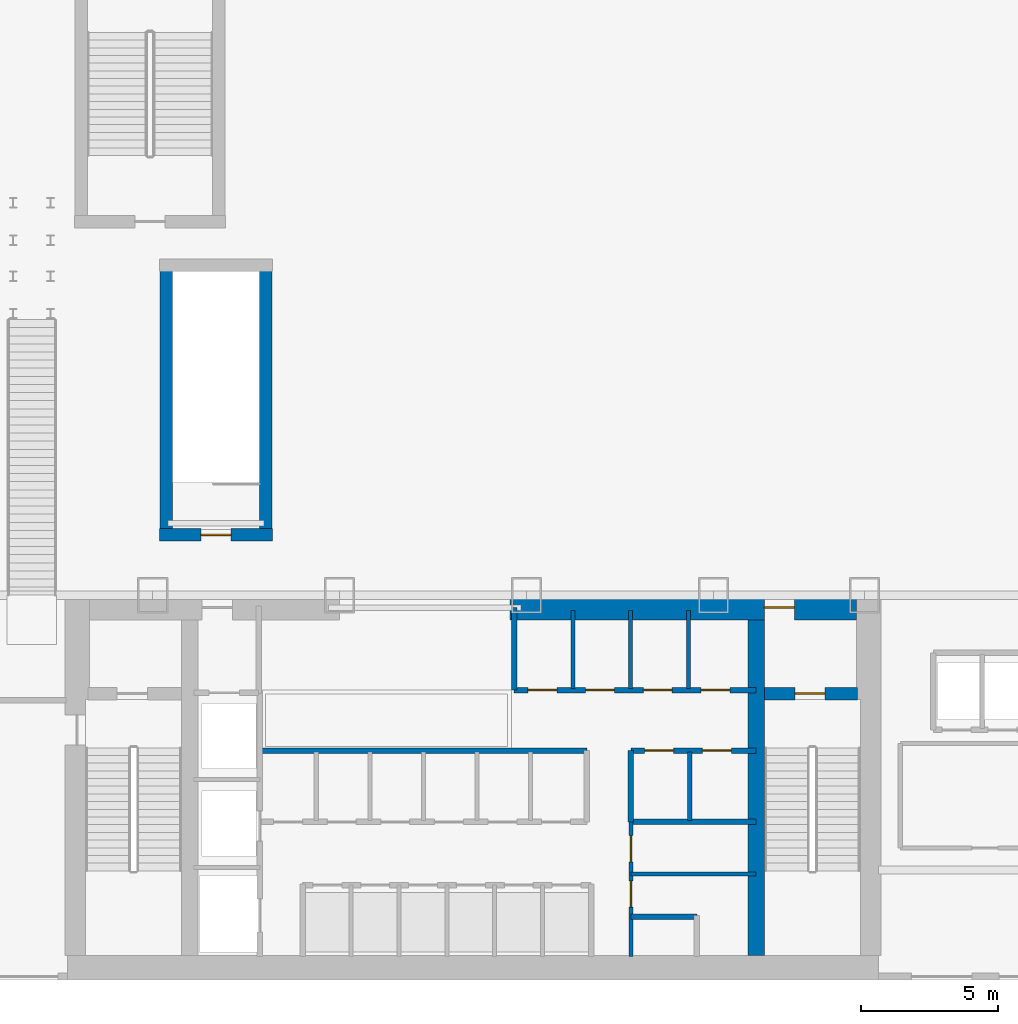
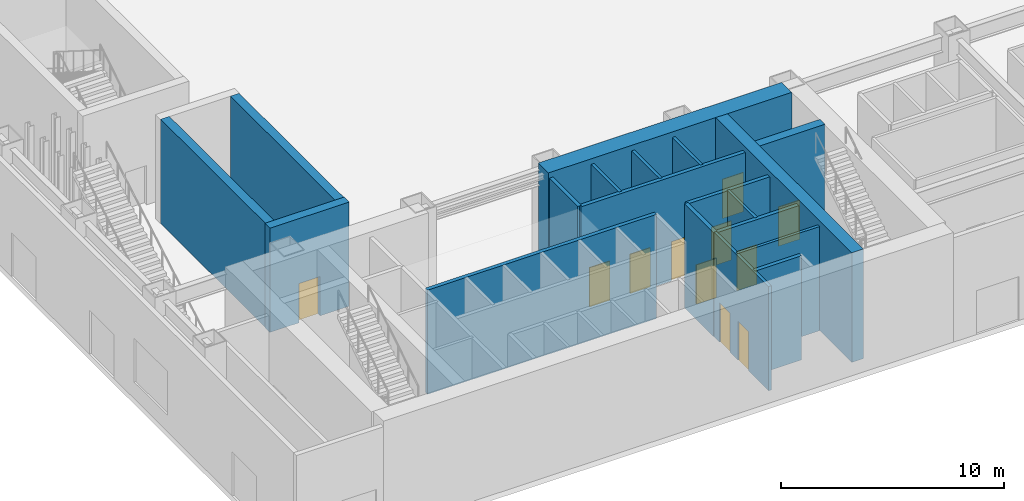
# One storey, part 10 of 25: 19 walls, 11 doors, 11 openings.
"""IFC4 building model written with IfcOpenShell, lengths in metres."""

from ifc_helpers import new_model, si_unit, derived_unit, direction, frame, frame_2d, origin, place, context, subcontext, project, spatial, rectangle, extrude, source, transform, mapped, material, layer, layer_set, type_object, element, fill, save


model = new_model("IFC4")

# Units and contexts
model_context = context("Model", 3, precision=1e-05, world=origin(), true_north=direction((0.0, 1.0)))
body_context = subcontext(model_context, "Body", "Model", "MODEL_VIEW")
ifc_project = project(units=[si_unit("LENGTHUNIT", "METRE"), si_unit("AREAUNIT", "SQUARE_METRE"), si_unit("VOLUMEUNIT", "CUBIC_METRE"), si_unit("PLANEANGLEUNIT", "RADIAN"), si_unit("MASSUNIT", "GRAM", prefix="KILO"), derived_unit("THERMALTRANSMITTANCEUNIT", [(si_unit("POWERUNIT", "WATT"), 1), (si_unit("LENGTHUNIT", "METRE"), -2), (si_unit("THERMODYNAMICTEMPERATUREUNIT", "KELVIN"), -1)])], contexts=[model_context])

# Site, building, storey
site_placement = place(None, origin())
site = spatial("IfcSite", under=ifc_project, at=site_placement, CompositionType="ELEMENT")
building_placement = place(site_placement, origin())
building = spatial("IfcBuilding", under=site, at=building_placement, Name="Skarnbrae Concourse Arena and Tower", CompositionType="ELEMENT")
storey_placement = place(building_placement, origin())
storey = spatial("IfcBuildingStorey", under=building, at=storey_placement, Name="L00", CompositionType="ELEMENT", Elevation=0.0)

# Wall, opening, door
ifc_material_1 = material(Name="Concrete 70 MPa (C70/85)", Category="concrete")
ifc_layer_1 = layer(ifc_material_1, 0.89990234375)
ifc_layer_set_1 = layer_set([ifc_layer_1], Name="Concrete 70 MPa (C70/85)")
wall_type_1 = type_object("IfcWallType", Name="WALL-CORE-900-C70", PredefinedType="SHEAR", material=ifc_layer_set_1)
shared_shape_1 = source(origin(), body_context, "Body", "SweptSolid", [
    extrude(rectangle(XDim=12.599853515625, YDim=0.89990234375, at=frame_2d((6.2998046875, 0.0))), origin(), (0.0, 0.0, 1.0), 6.0),
])
wall_1_placement = place(storey_placement, frame((20.60009765625, 13.550048828125, 0.0), z_axis=(0.0, 0.0, 1.0), x_axis=(1.0, 0.0, 0.0)))
wall_1 = element("IfcWall", 1, at=wall_1_placement, inside=storey, type_object=wall_type_1, Name="L00 Rear core shear wall CW-NE", PredefinedType="SHEAR", context=body_context, shape_type="MappedRepresentation", body=[
    mapped(shared_shape_1, transform((0.0, 0.0, 0.0))),
])
opening_1_placement = place(wall_1_placement, frame((9.25, 0.0, 0.0)))
opening_1 = element("IfcOpeningElement", 2, at=opening_1_placement, cuts=wall_1, Name="Opening DT-03", PredefinedType="OPENING", context=body_context, shape_type="SweptSolid", body=[
    extrude(rectangle(XDim=1.10009765625, YDim=2.14990234375, at=frame_2d((0.550048828125, 1.074951171875))), frame((0.0, 0.4599609375, 0.0), z_axis=(0.0, -1.0, 0.0), x_axis=(1.0, 0.0, 0.0)), (0.0, 0.0, 1.0), 0.919921875),
])
ifc_material_2 = material(Name="Steel CSA G40.21 350W", Category="steel")
door_type_1 = type_object("IfcDoorType", Name="DOOR-FIRE-1100-90M", OperationType="NOTDEFINED", PredefinedType="DOOR", material=ifc_material_2)
shared_shape_2 = source(origin(), body_context, "Body", "SweptSolid", [
    extrude(rectangle(XDim=1.10009765625, YDim=2.14990234375, at=frame_2d((0.550048828125, 1.074951171875))), frame((0.0, 0.02490234375, 0.0), z_axis=(0.0, -1.0, 0.0), x_axis=(1.0, 0.0, 0.0)), (0.0, 0.0, 1.0), 0.050048828125),
])
door_1_placement = place(opening_1_placement, origin())
door_1 = element("IfcDoor", 3, at=door_1_placement, inside=storey, type_object=door_type_1, Name="D-0149 Stair ST-2 Vestibule Door", OperationType="SINGLE_SWING_LEFT", OverallHeight=2.14990234375, OverallWidth=1.10009765625, PredefinedType="DOOR", context=body_context, shape_type="MappedRepresentation", body=[
    mapped(shared_shape_2, transform((0.0, 0.0, 0.0))),
])
fill(opening_1, door_1)

# Wall
ifc_layer_2 = layer(ifc_material_1, 0.60009765625)
ifc_layer_set_2 = layer_set([ifc_layer_2], Name="Concrete 70 MPa (C70/85)")
wall_type_2 = type_object("IfcWallType", Name="WALL-CORE-600-C70", PredefinedType="SHEAR", material=ifc_layer_set_2)
shared_shape_3 = source(origin(), body_context, "Body", "SweptSolid", [
    extrude(rectangle(XDim=12.2001953125, YDim=0.60009765625, at=frame_2d((6.10009765625, 0.0))), origin(), (0.0, 0.0, 1.0), 6.0),
])
wall_2_placement = place(storey_placement, frame((29.56005859375, 0.89990234375, 0.0), z_axis=(0.0, 0.0, 1.0), x_axis=(0.0, 1.0, 0.0)))
element("IfcWall", 4, at=wall_2_placement, inside=storey, type_object=wall_type_2, Name="L00 Rear core shear wall CW-WEB-E", PredefinedType="SHEAR", context=body_context, shape_type="MappedRepresentation", body=[
    mapped(shared_shape_3, transform((0.0, 0.0, 0.0))),
])

# Wall, opening, door
ifc_material_3 = material(Name="Concrete 50 MPa (C50/60)", Category="concrete")
ifc_layer_3 = layer(ifc_material_3, 0.449951171875)
ifc_layer_set_3 = layer_set([ifc_layer_3], Name="Concrete 50 MPa (C50/60)")
wall_type_3 = type_object("IfcWallType", Name="WALL-CORE-450-C50", PredefinedType="SHEAR", material=ifc_layer_set_3)
shared_shape_4 = source(origin(), body_context, "Body", "SweptSolid", [
    extrude(rectangle(XDim=3.389892578125, YDim=0.449951171875, at=frame_2d((1.69482421875, 0.0))), origin(), (0.0, 0.0, 1.0), 6.0),
])
wall_3_placement = place(storey_placement, frame((29.860107421875, 10.419921875, 0.0), z_axis=(0.0, 0.0, 1.0), x_axis=(1.0, 0.0, 0.0)))
wall_3 = element("IfcWall", 5, at=wall_3_placement, inside=storey, type_object=wall_type_3, Name="L00 Rear core shear wall CW-ST2-N", PredefinedType="SHEAR", context=body_context, shape_type="MappedRepresentation", body=[
    mapped(shared_shape_4, transform((0.0, 0.0, 0.0))),
])
opening_2_placement = place(wall_3_placement, frame((1.10009765625, 0.0, 0.0)))
opening_2 = element("IfcOpeningElement", 6, at=opening_2_placement, cuts=wall_3, Name="Opening DT-03", PredefinedType="OPENING", context=body_context, shape_type="SweptSolid", body=[
    extrude(rectangle(XDim=1.10009765625, YDim=2.14990234375, at=frame_2d((0.550048828125, 1.074951171875))), frame((0.0, 0.23486328125, 0.0), z_axis=(0.0, -1.0, 0.0), x_axis=(1.0, 0.0, 0.0)), (0.0, 0.0, 1.0), 0.469970703125),
])
door_2_placement = place(opening_2_placement, frame((1.10009765625, 0.0, 0.0), z_axis=(0.0, 0.0, 1.0), x_axis=(-1.0, 0.0, 0.0)))
door_2 = element("IfcDoor", 7, at=door_2_placement, inside=storey, type_object=door_type_1, Name="D-0147 Stair ST-2 Door", OperationType="SINGLE_SWING_RIGHT", OverallHeight=2.14990234375, OverallWidth=1.10009765625, PredefinedType="DOOR", context=body_context, shape_type="MappedRepresentation", body=[
    mapped(shared_shape_2, transform((0.0, 0.0, 0.0))),
])
fill(opening_2, door_2)

shared_shape_5 = source(origin(), body_context, "Body", "SweptSolid", [
    extrude(rectangle(XDim=4.099853515625, YDim=0.449951171875, at=frame_2d((2.0498046875, 0.0))), origin(), (0.0, 0.0, 1.0), 5.699951171875),
])
wall_4_placement = place(storey_placement, frame((7.85009765625, 16.195068359375, 0.0), z_axis=(0.0, 0.0, 1.0), x_axis=(1.0, 0.0, 0.0)))
wall_4 = element("IfcWall", 8, at=wall_4_placement, inside=storey, type_object=wall_type_3, Name="L00 Protected stair shaft wall ST-B3-S", PredefinedType="SHEAR", context=body_context, shape_type="MappedRepresentation", body=[
    mapped(shared_shape_5, transform((0.0, 0.0, 0.0))),
])
opening_3_placement = place(wall_4_placement, frame((1.5, 0.0, 0.0)))
opening_3 = element("IfcOpeningElement", 9, at=opening_3_placement, cuts=wall_4, Name="Opening DT-03", PredefinedType="OPENING", context=body_context, shape_type="SweptSolid", body=[
    extrude(rectangle(XDim=1.10009765625, YDim=2.14990234375, at=frame_2d((0.550048828125, 1.074951171875))), frame((0.0, 0.23486328125, 0.0), z_axis=(0.0, -1.0, 0.0), x_axis=(1.0, 0.0, 0.0)), (0.0, 0.0, 1.0), 0.469970703125),
])
door_3_placement = place(opening_3_placement, frame((1.10009765625, 0.0, 0.0), z_axis=(0.0, 0.0, 1.0), x_axis=(-1.0, 0.0, 0.0)))
door_3 = element("IfcDoor", 10, at=door_3_placement, inside=storey, type_object=door_type_1, Name="D-0197 Exit Stair ST-B3 Door", OperationType="SINGLE_SWING_LEFT", OverallHeight=2.14990234375, OverallWidth=1.10009765625, PredefinedType="DOOR", context=body_context, shape_type="MappedRepresentation", body=[
    mapped(shared_shape_2, transform((0.0, 0.0, 0.0))),
])
fill(opening_3, door_3)

# Walls
shared_shape_6 = source(origin(), body_context, "Body", "SweptSolid", [
    extrude(rectangle(XDim=9.400146484375, YDim=0.449951171875, at=frame_2d((4.7001953125, 0.0))), origin(), (0.0, 0.0, 1.0), 5.699951171875),
])
for number, where, z_axis, x_axis, name in (
    (11, (8.094970703125, 16.39990234375, 0.0), (0.0, 0.0, 1.0), (0.0, 1.0, 0.0), "L00 Protected stair shaft wall ST-B3-W"),
    (12, (11.705078125, 16.39990234375, 0.0), (0.0, 0.0, 1.0), (0.0, 1.0, 0.0), "L00 Protected stair shaft wall ST-B3-E"),
):
    element("IfcWall", number, at=place(storey_placement, frame(where, z_axis=z_axis, x_axis=x_axis)), inside=storey, type_object=wall_type_3, Name=name, PredefinedType="SHEAR", context=body_context, shape_type="MappedRepresentation", body=[
        mapped(shared_shape_6, transform((0.0, 0.0, 0.0))),
    ])
ifc_material_4 = material(Name="Gypsum board on cold-formed steel studs", Category="steel")
ifc_layer_4 = layer(ifc_material_4, 0.199951171875)
ifc_layer_set_4 = layer_set([ifc_layer_4], Name="Gypsum board on cold-formed steel studs")
wall_type_4 = type_object("IfcWallType", Name="WALL-PART-200-2HR", PredefinedType="PARTITIONING", material=ifc_layer_set_4)
shared_shape_7 = source(origin(), body_context, "Body", "SweptSolid", [
    extrude(rectangle(XDim=11.849853515625, YDim=0.199951171875, at=frame_2d((5.9248046875, 0.0))), origin(), (0.0, 0.0, 1.0), 5.699951171875),
])
wall_5_placement = place(storey_placement, frame((11.550048828125, 8.35009765625, 0.0), z_axis=(0.0, 0.0, 1.0), x_axis=(1.0, 0.0, 0.0)))
element("IfcWall", 13, at=wall_5_placement, inside=storey, type_object=wall_type_4, Name="L00 Interior partition wall W-L00-B2-N", PredefinedType="PARTITIONING", context=body_context, shape_type="MappedRepresentation", body=[
    mapped(shared_shape_7, transform((0.0, 0.0, 0.0))),
])
shared_shape_8 = source(origin(), body_context, "Body", "SweptSolid", [
    extrude(rectangle(XDim=2.60009765625, YDim=0.199951171875, at=frame_2d((1.300048828125, 0.0))), origin(), (0.0, 0.0, 1.0), 5.699951171875),
])
wall_6_placement = place(storey_placement, frame((25.0, 5.75, 0.0), z_axis=(0.0, 0.0, 1.0), x_axis=(0.0, 1.0, 0.0)))
element("IfcWall", 14, at=wall_6_placement, inside=storey, type_object=wall_type_4, Name="L00 Interior partition wall W-L00-B3S-W", PredefinedType="PARTITIONING", context=body_context, shape_type="MappedRepresentation", body=[
    mapped(shared_shape_8, transform((0.0, 0.0, 0.0))),
])
ifc_layer_5 = layer(ifc_material_4, 0.14990234375)
ifc_layer_set_5 = layer_set([ifc_layer_5], Name="Gypsum board on cold-formed steel studs")
wall_type_5 = type_object("IfcWallType", Name="WALL-PART-150", PredefinedType="PARTITIONING", material=ifc_layer_set_5)
shared_shape_9 = source(origin(), body_context, "Body", "SweptSolid", [
    extrude(rectangle(XDim=2.5, YDim=0.14990234375, at=frame_2d((1.25, 0.0))), origin(), (0.0, 0.0, 1.0), 5.699951171875),
])
wall_7_placement = place(storey_placement, frame((27.139892578125, 5.800048828125, 0.0), z_axis=(0.0, 0.0, 1.0), x_axis=(0.0, 1.0, 0.0)))
element("IfcWall", 15, at=wall_7_placement, inside=storey, type_object=wall_type_5, Name="L00 Interior partition wall W-L00-B3S-P1", PredefinedType="PARTITIONING", context=body_context, shape_type="MappedRepresentation", body=[
    mapped(shared_shape_9, transform((0.0, 0.0, 0.0))),
])

# Wall, openings, doors
shared_shape_10 = source(origin(), body_context, "Body", "SweptSolid", [
    extrude(rectangle(XDim=8.800048828125, YDim=0.199951171875, at=frame_2d((4.39990234375, 0.0))), origin(), (0.0, 0.0, 1.0), 5.699951171875),
])
wall_8_placement = place(storey_placement, frame((20.75, 10.550048828125, 0.0), z_axis=(0.0, 0.0, 1.0), x_axis=(1.0, 0.0, 0.0)))
wall_8 = element("IfcWall", 16, at=wall_8_placement, inside=storey, type_object=wall_type_4, Name="L00 Interior partition wall W-L00-B3N-S", PredefinedType="PARTITIONING", context=body_context, shape_type="MappedRepresentation", body=[
    mapped(shared_shape_10, transform((0.0, 0.0, 0.0))),
])
opening_4_placement = place(wall_8_placement, frame((0.5, 0.0, 0.0)))
opening_4 = element("IfcOpeningElement", 17, at=opening_4_placement, cuts=wall_8, Name="Opening LD-04", PredefinedType="OPENING", context=body_context, shape_type="SweptSolid", body=[
    extrude(rectangle(XDim=1.050048828125, YDim=2.14990234375, at=frame_2d((0.52490234375, 1.074951171875))), frame((0.0, 0.10986328125, 0.0), z_axis=(0.0, -1.0, 0.0), x_axis=(1.0, 0.0, 0.0)), (0.0, 0.0, 1.0), 0.219970703125),
])
opening_5_placement = place(wall_8_placement, frame((2.60009765625, 0.0, 0.0)))
opening_5 = element("IfcOpeningElement", 18, at=opening_5_placement, cuts=wall_8, Name="Opening LD-04", PredefinedType="OPENING", context=body_context, shape_type="SweptSolid", body=[
    extrude(rectangle(XDim=1.050048828125, YDim=2.14990234375, at=frame_2d((0.52490234375, 1.074951171875))), frame((0.0, 0.10986328125, 0.0), z_axis=(0.0, -1.0, 0.0), x_axis=(1.0, 0.0, 0.0)), (0.0, 0.0, 1.0), 0.219970703125),
])
opening_6_placement = place(wall_8_placement, frame((4.699951171875, 0.0, 0.0)))
opening_6 = element("IfcOpeningElement", 19, at=opening_6_placement, cuts=wall_8, Name="Opening LD-04", PredefinedType="OPENING", context=body_context, shape_type="SweptSolid", body=[
    extrude(rectangle(XDim=1.050048828125, YDim=2.14990234375, at=frame_2d((0.52490234375, 1.074951171875))), frame((0.0, 0.10986328125, 0.0), z_axis=(0.0, -1.0, 0.0), x_axis=(1.0, 0.0, 0.0)), (0.0, 0.0, 1.0), 0.219970703125),
])
opening_7_placement = place(wall_8_placement, frame((6.800048828125, 0.0, 0.0)))
opening_7 = element("IfcOpeningElement", 20, at=opening_7_placement, cuts=wall_8, Name="Opening LD-04", PredefinedType="OPENING", context=body_context, shape_type="SweptSolid", body=[
    extrude(rectangle(XDim=1.050048828125, YDim=2.14990234375, at=frame_2d((0.52490234375, 1.074951171875))), frame((0.0, 0.10986328125, 0.0), z_axis=(0.0, -1.0, 0.0), x_axis=(1.0, 0.0, 0.0)), (0.0, 0.0, 1.0), 0.219970703125),
])
ifc_material_5 = material(Name="Bronze anodised aluminium 6063-T6", Category="aluminium")
door_type_2 = type_object("IfcDoorType", Name="DOOR-LIFT-SLIDE-1050H", OperationType="SLIDING_TO_LEFT", PredefinedType="DOOR", material=ifc_material_5)
shared_shape_11 = source(origin(), body_context, "Body", "SweptSolid", [
    extrude(rectangle(XDim=1.050048828125, YDim=2.14990234375, at=frame_2d((0.52490234375, 1.074951171875))), frame((0.0, 0.02490234375, 0.0), z_axis=(0.0, -1.0, 0.0), x_axis=(1.0, 0.0, 0.0)), (0.0, 0.0, 1.0), 0.050048828125),
])
door_4_placement = place(opening_4_placement, frame((1.050048828125, 0.0, 0.0), z_axis=(0.0, 0.0, 1.0), x_axis=(-1.0, 0.0, 0.0)))
door_4 = element("IfcDoor", 21, at=door_4_placement, inside=storey, type_object=door_type_2, Name="D-0165 Passenger Lift Landing Door PL-3A", OperationType="SLIDING_TO_LEFT", OverallHeight=2.14990234375, OverallWidth=1.050048828125, PredefinedType="DOOR", context=body_context, shape_type="MappedRepresentation", body=[
    mapped(shared_shape_11, transform((0.0, 0.0, 0.0))),
])
fill(opening_4, door_4)
door_5_placement = place(opening_5_placement, frame((1.050048828125, 0.0, 0.0), z_axis=(0.0, 0.0, 1.0), x_axis=(-1.0, 0.0, 0.0)))
door_5 = element("IfcDoor", 22, at=door_5_placement, inside=storey, type_object=door_type_2, Name="D-0166 Passenger Lift Landing Door PL-3B", OperationType="SLIDING_TO_LEFT", OverallHeight=2.14990234375, OverallWidth=1.050048828125, PredefinedType="DOOR", context=body_context, shape_type="MappedRepresentation", body=[
    mapped(shared_shape_11, transform((0.0, 0.0, 0.0))),
])
fill(opening_5, door_5)
door_6_placement = place(opening_6_placement, frame((1.050048828125, 0.0, 0.0), z_axis=(0.0, 0.0, 1.0), x_axis=(-1.0, 0.0, 0.0)))
door_6 = element("IfcDoor", 23, at=door_6_placement, inside=storey, type_object=door_type_2, Name="D-0167 Passenger Lift Landing Door PL-3C", OperationType="SLIDING_TO_LEFT", OverallHeight=2.14990234375, OverallWidth=1.050048828125, PredefinedType="DOOR", context=body_context, shape_type="MappedRepresentation", body=[
    mapped(shared_shape_11, transform((0.0, 0.0, 0.0))),
])
fill(opening_6, door_6)
door_7_placement = place(opening_7_placement, frame((1.050048828125, 0.0, 0.0), z_axis=(0.0, 0.0, 1.0), x_axis=(-1.0, 0.0, 0.0)))
door_7 = element("IfcDoor", 24, at=door_7_placement, inside=storey, type_object=door_type_2, Name="D-0168 Passenger Lift Landing Door PL-3D", OperationType="SLIDING_TO_LEFT", OverallHeight=2.14990234375, OverallWidth=1.050048828125, PredefinedType="DOOR", context=body_context, shape_type="MappedRepresentation", body=[
    mapped(shared_shape_11, transform((0.0, 0.0, 0.0))),
])
fill(opening_7, door_7)

# Walls
shared_shape_12 = source(origin(), body_context, "Body", "SweptSolid", [
    extrude(rectangle(XDim=3.0, YDim=0.199951171875, at=frame_2d((1.5, 0.0))), origin(), (0.0, 0.0, 1.0), 5.699951171875),
])
wall_9_placement = place(storey_placement, frame((20.75, 10.550048828125, 0.0), z_axis=(0.0, 0.0, 1.0), x_axis=(0.0, 1.0, 0.0)))
element("IfcWall", 25, at=wall_9_placement, inside=storey, type_object=wall_type_4, Name="L00 Interior partition wall W-L00-B3N-W", PredefinedType="PARTITIONING", context=body_context, shape_type="MappedRepresentation", body=[
    mapped(shared_shape_12, transform((0.0, 0.0, 0.0))),
])
shared_shape_13 = source(origin(), body_context, "Body", "SweptSolid", [
    extrude(rectangle(XDim=2.849853515625, YDim=0.14990234375, at=frame_2d((1.4248046875, 0.0))), origin(), (0.0, 0.0, 1.0), 5.699951171875),
])
for number, where, z_axis, x_axis, name in (
    (26, (22.889892578125, 10.60009765625, 0.0), (0.0, 0.0, 1.0), (0.0, 1.0, 0.0), "L00 Interior partition wall W-L00-B3N-P1"),
    (27, (24.989990234375, 10.60009765625, 0.0), (0.0, 0.0, 1.0), (0.0, 1.0, 0.0), "L00 Interior partition wall W-L00-B3N-P2"),
    (28, (27.090087890625, 10.60009765625, 0.0), (0.0, 0.0, 1.0), (0.0, 1.0, 0.0), "L00 Interior partition wall W-L00-B3N-P3"),
):
    element("IfcWall", number, at=place(storey_placement, frame(where, z_axis=z_axis, x_axis=x_axis)), inside=storey, type_object=wall_type_5, Name=name, PredefinedType="PARTITIONING", context=body_context, shape_type="MappedRepresentation", body=[
        mapped(shared_shape_13, transform((0.0, 0.0, 0.0))),
    ])

# Wall, openings, doors
shared_shape_14 = source(origin(), body_context, "Body", "SweptSolid", [
    extrude(rectangle(XDim=4.550048828125, YDim=0.199951171875, at=frame_2d((2.27490234375, 0.0))), origin(), (0.0, 0.0, 1.0), 5.699951171875),
])
wall_10_placement = place(storey_placement, frame((25.0, 8.35009765625, 0.0), z_axis=(0.0, 0.0, 1.0), x_axis=(1.0, 0.0, 0.0)))
wall_10 = element("IfcWall", 29, at=wall_10_placement, inside=storey, type_object=wall_type_4, Name="L00 Interior partition wall W-L00-B3S-N", PredefinedType="PARTITIONING", context=body_context, shape_type="MappedRepresentation", body=[
    mapped(shared_shape_14, transform((0.0, 0.0, 0.0))),
])
opening_8_placement = place(wall_10_placement, frame((0.5, 0.0, 0.0)))
opening_8 = element("IfcOpeningElement", 30, at=opening_8_placement, cuts=wall_10, Name="Opening LD-04", PredefinedType="OPENING", context=body_context, shape_type="SweptSolid", body=[
    extrude(rectangle(XDim=1.050048828125, YDim=2.14990234375, at=frame_2d((0.52490234375, 1.074951171875))), frame((0.0, 0.10986328125, 0.0), z_axis=(0.0, -1.0, 0.0), x_axis=(1.0, 0.0, 0.0)), (0.0, 0.0, 1.0), 0.219970703125),
])
opening_9_placement = place(wall_10_placement, frame((2.60009765625, 0.0, 0.0)))
opening_9 = element("IfcOpeningElement", 31, at=opening_9_placement, cuts=wall_10, Name="Opening LD-04", PredefinedType="OPENING", context=body_context, shape_type="SweptSolid", body=[
    extrude(rectangle(XDim=1.050048828125, YDim=2.14990234375, at=frame_2d((0.52490234375, 1.074951171875))), frame((0.0, 0.10986328125, 0.0), z_axis=(0.0, -1.0, 0.0), x_axis=(1.0, 0.0, 0.0)), (0.0, 0.0, 1.0), 0.219970703125),
])
door_8_placement = place(opening_8_placement, origin())
door_8 = element("IfcDoor", 32, at=door_8_placement, inside=storey, type_object=door_type_2, Name="D-0169 Passenger Lift Landing Door PL-3E", OperationType="SLIDING_TO_LEFT", OverallHeight=2.14990234375, OverallWidth=1.050048828125, PredefinedType="DOOR", context=body_context, shape_type="MappedRepresentation", body=[
    mapped(shared_shape_11, transform((0.0, 0.0, 0.0))),
])
fill(opening_8, door_8)
door_9_placement = place(opening_9_placement, origin())
door_9 = element("IfcDoor", 33, at=door_9_placement, inside=storey, type_object=door_type_2, Name="D-0170 Passenger Lift Landing Door PL-3F", OperationType="SLIDING_TO_LEFT", OverallHeight=2.14990234375, OverallWidth=1.050048828125, PredefinedType="DOOR", context=body_context, shape_type="MappedRepresentation", body=[
    mapped(shared_shape_11, transform((0.0, 0.0, 0.0))),
])
fill(opening_9, door_9)

# Wall
wall_11_placement = place(storey_placement, frame((25.0, 5.75, 0.0), z_axis=(0.0, 0.0, 1.0), x_axis=(1.0, 0.0, 0.0)))
element("IfcWall", 34, at=wall_11_placement, inside=storey, type_object=wall_type_4, Name="L00 Interior partition wall W-L00-B3S-S", PredefinedType="PARTITIONING", context=body_context, shape_type="MappedRepresentation", body=[
    mapped(shared_shape_14, transform((0.0, 0.0, 0.0))),
])

# Wall, openings, doors
ifc_layer_6 = layer(ifc_material_4, 0.14990234375)
ifc_layer_set_6 = layer_set([ifc_layer_6], Name="Gypsum board on cold-formed steel studs")
wall_type_6 = type_object("IfcWallType", Name="WALL-PART-150-1HR", PredefinedType="PARTITIONING", material=ifc_layer_set_6)
shared_shape_15 = source(origin(), body_context, "Body", "SweptSolid", [
    extrude(rectangle(XDim=4.89990234375, YDim=0.14990234375, at=frame_2d((2.449951171875, 0.0))), origin(), (0.0, 0.0, 1.0), 5.699951171875),
])
wall_12_placement = place(storey_placement, frame((25.0, 0.85009765625, 0.0), z_axis=(0.0, 0.0, 1.0), x_axis=(0.0, 1.0, 0.0)))
wall_12 = element("IfcWall", 35, at=wall_12_placement, inside=storey, type_object=wall_type_6, Name="L00 Interior partition wall W-L00-CSV-W", PredefinedType="PARTITIONING", context=body_context, shape_type="MappedRepresentation", body=[
    mapped(shared_shape_15, transform((0.0, 0.0, 0.0))),
])
opening_10_placement = place(wall_12_placement, frame((1.800048828125, 0.0, 0.0)))
opening_10 = element("IfcOpeningElement", 36, at=opening_10_placement, cuts=wall_12, Name="Opening DT-04", PredefinedType="OPENING", context=body_context, shape_type="SweptSolid", body=[
    extrude(rectangle(XDim=0.949951171875, YDim=2.14990234375, at=frame_2d((0.47509765625, 1.074951171875))), frame((0.0, 0.0849609375, 0.0), z_axis=(0.0, -1.0, 0.0), x_axis=(1.0, 0.0, 0.0)), (0.0, 0.0, 1.0), 0.169921875),
])
opening_11_placement = place(wall_12_placement, frame((3.449951171875, 0.0, 0.0)))
opening_11 = element("IfcOpeningElement", 37, at=opening_11_placement, cuts=wall_12, Name="Opening DT-04", PredefinedType="OPENING", context=body_context, shape_type="SweptSolid", body=[
    extrude(rectangle(XDim=0.949951171875, YDim=2.14990234375, at=frame_2d((0.47509765625, 1.074951171875))), frame((0.0, 0.0849609375, 0.0), z_axis=(0.0, -1.0, 0.0), x_axis=(1.0, 0.0, 0.0)), (0.0, 0.0, 1.0), 0.169921875),
])
door_type_3 = type_object("IfcDoorType", Name="DOOR-INT-950-45M", OperationType="NOTDEFINED", PredefinedType="DOOR", material=ifc_material_2)
shared_shape_16 = source(origin(), body_context, "Body", "SweptSolid", [
    extrude(rectangle(XDim=0.949951171875, YDim=2.14990234375, at=frame_2d((0.47509765625, 1.074951171875))), frame((0.0, 0.02490234375, 0.0), z_axis=(0.0, -1.0, 0.0), x_axis=(1.0, 0.0, 0.0)), (0.0, 0.0, 1.0), 0.050048828125),
])
door_10_placement = place(opening_10_placement, origin())
door_10 = element("IfcDoor", 38, at=door_10_placement, inside=storey, type_object=door_type_3, Name="D-0171 Electrical Switch Room Door", OperationType="SINGLE_SWING_LEFT", OverallHeight=2.14990234375, OverallWidth=0.949951171875, PredefinedType="DOOR", context=body_context, shape_type="MappedRepresentation", body=[
    mapped(shared_shape_16, transform((0.0, 0.0, 0.0))),
])
fill(opening_10, door_10)
door_11_placement = place(opening_11_placement, origin())
door_11 = element("IfcDoor", 39, at=door_11_placement, inside=storey, type_object=door_type_3, Name="D-0172 Cleaner Store Door", OperationType="SINGLE_SWING_RIGHT", OverallHeight=2.14990234375, OverallWidth=0.949951171875, PredefinedType="DOOR", context=body_context, shape_type="MappedRepresentation", body=[
    mapped(shared_shape_16, transform((0.0, 0.0, 0.0))),
])
fill(opening_11, door_11)

# Walls
shared_shape_17 = source(origin(), body_context, "Body", "SweptSolid", [
    extrude(rectangle(XDim=2.39990234375, YDim=0.199951171875, at=frame_2d((1.199951171875, 0.0))), origin(), (0.0, 0.0, 1.0), 5.699951171875),
])
wall_13_placement = place(storey_placement, frame((25.0, 2.300048828125, 0.0), z_axis=(0.0, 0.0, 1.0), x_axis=(1.0, 0.0, 0.0)))
element("IfcWall", 40, at=wall_13_placement, inside=storey, type_object=wall_type_4, Name="L00 Interior partition wall W-L00-MEP-N", PredefinedType="PARTITIONING", context=body_context, shape_type="MappedRepresentation", body=[
    mapped(shared_shape_17, transform((0.0, 0.0, 0.0))),
])
shared_shape_18 = source(origin(), body_context, "Body", "SweptSolid", [
    extrude(rectangle(XDim=4.550048828125, YDim=0.14990234375, at=frame_2d((2.27490234375, 0.0))), origin(), (0.0, 0.0, 1.0), 5.699951171875),
])
wall_14_placement = place(storey_placement, frame((25.0, 3.85009765625, 0.0), z_axis=(0.0, 0.0, 1.0), x_axis=(1.0, 0.0, 0.0)))
element("IfcWall", 41, at=wall_14_placement, inside=storey, type_object=wall_type_5, Name="L00 Interior partition wall W-L00-CSV-H", PredefinedType="PARTITIONING", context=body_context, shape_type="MappedRepresentation", body=[
    mapped(shared_shape_18, transform((0.0, 0.0, 0.0))),
])

save(model, "model.ifc")
